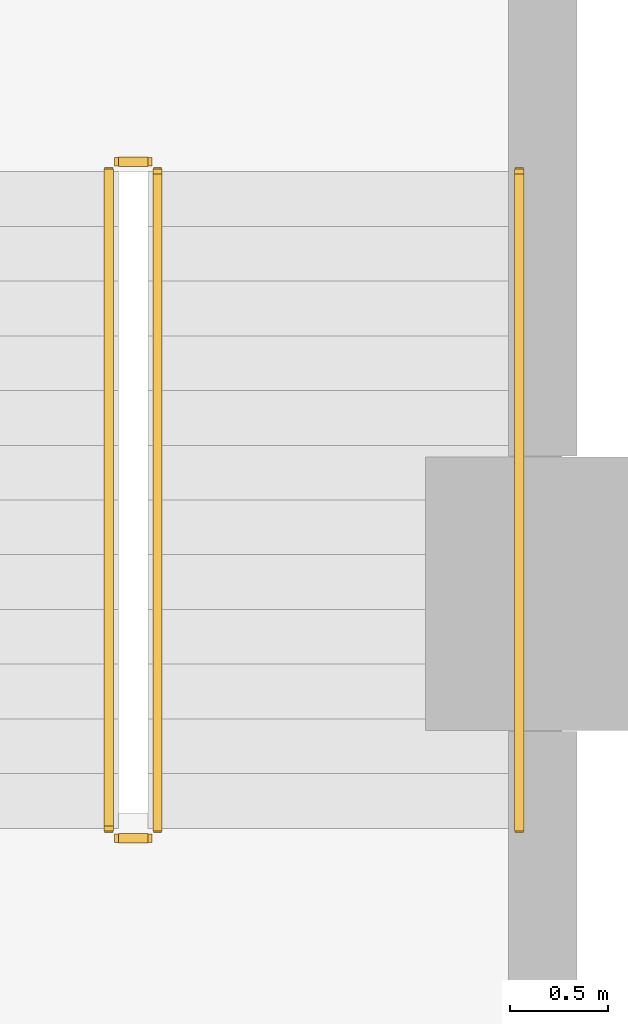
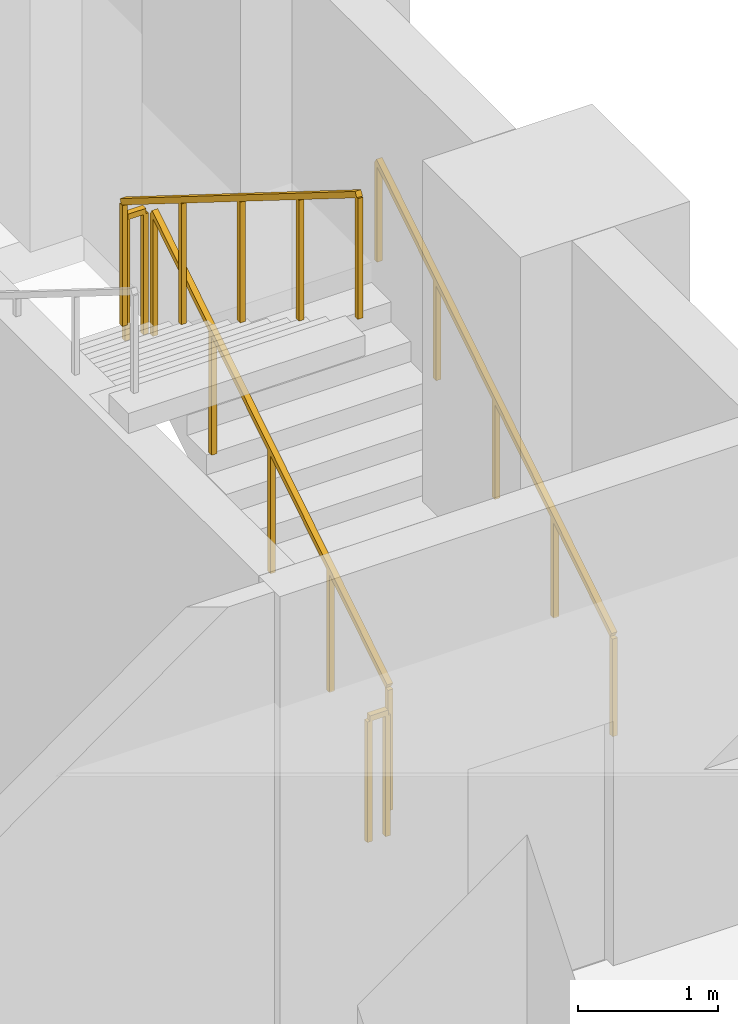
# One storey, part 14 of 14: 5 railings.
"""IFC4 building model written with IfcOpenShell, lengths in metres."""

from ifc_helpers import new_model, si_unit, direction, frame, origin, origin_2d, place, context, subcontext, project, spatial, rectangle, extrude, material, type_object, element, save


model = new_model("IFC4")

# Units and contexts
model_context = context("Model", 3, precision=1e-05, world=origin(), true_north=direction((0.0, 1.0)))
body_context = subcontext(model_context, "Body", "Model", "MODEL_VIEW")
ifc_project = project(units=[si_unit("LENGTHUNIT", "METRE"), si_unit("AREAUNIT", "SQUARE_METRE"), si_unit("VOLUMEUNIT", "CUBIC_METRE"), si_unit("PLANEANGLEUNIT", "RADIAN"), si_unit("MASSUNIT", "GRAM", prefix="KILO")], contexts=[model_context])

# Site, building, storey
site_placement = place(None, origin())
site = spatial("IfcSite", under=ifc_project, at=site_placement, CompositionType="ELEMENT")
building_placement = place(site_placement, origin())
building = spatial("IfcBuilding", under=site, at=building_placement, Name="Zulmaris Gate Convention Tower", CompositionType="ELEMENT")
storey_placement = place(building_placement, frame((0.0, 0.0, -4.550048828125)))
storey = spatial("IfcBuildingStorey", under=building, at=storey_placement, Name="B1", CompositionType="ELEMENT", Elevation=-4.550048828125)

# Railings
ifc_material_1 = material(Name="Painted Galvanised Steel", Category="steel")
railing_type_1 = type_object("IfcRailingType", Name="RL-STG-1150", PredefinedType="GUARDRAIL", material=ifc_material_1)
railing_1_placement = place(storey_placement, frame((31.929931640625, 20.800048828125, 0.175048828125)))
element("IfcRailing", 1, at=railing_1_placement, inside=storey, type_object=railing_type_1, Name="B1 ST-5 stair guard 1", PredefinedType="GUARDRAIL", context=body_context, shape_type="SweptSolid", body=[
    extrude(rectangle(XDim=0.048095703125, YDim=0.048095703125, at=origin_2d()), frame((0.0, 0.0, 1.076171875), z_axis=(0.0, 0.847977533471, 0.530032171408), x_axis=(-1.0, 0.0, 0.0)), (0.0, 0.0, 1.0), 3.962158203125),
    extrude(rectangle(XDim=0.0419921875, YDim=0.0419921875, at=origin_2d()), origin(), (0.0, 0.0, 1.0), 1.052001953125),
    extrude(rectangle(XDim=0.0419921875, YDim=0.0419921875, at=origin_2d()), frame((0.0, 0.83984375, 0.52490234375)), (0.0, 0.0, 1.0), 1.052001953125),
    extrude(rectangle(XDim=0.0419921875, YDim=0.0419921875, at=origin_2d()), frame((0.0, 1.679931640625, 1.050048828125)), (0.0, 0.0, 1.0), 1.052001953125),
    extrude(rectangle(XDim=0.0419921875, YDim=0.0419921875, at=origin_2d()), frame((0.0, 2.52001953125, 1.5751953125)), (0.0, 0.0, 1.0), 1.052001953125),
    extrude(rectangle(XDim=0.0419921875, YDim=0.0419921875, at=origin_2d()), frame((0.0, 3.35986328125, 2.10009765625)), (0.0, 0.0, 1.0), 1.052001953125),
])
railing_2_placement = place(storey_placement, frame((31.8798828125, 24.2099609375, 2.275146484375)))
element("IfcRailing", 2, at=railing_2_placement, inside=storey, type_object=railing_type_1, Name="B1 ST-5 stair guard 2", PredefinedType="GUARDRAIL", context=body_context, shape_type="SweptSolid", body=[
    extrude(rectangle(XDim=0.048095703125, YDim=0.048095703125, at=origin_2d()), frame((0.0, 0.0, 1.076171875), z_axis=(-1.0, 0.0, 0.0), x_axis=(0.0, -1.0, 0.0)), (0.0, 0.0, 1.0), 0.14990234375),
    extrude(rectangle(XDim=0.0419921875, YDim=0.0419921875, at=origin_2d()), origin(), (0.0, 0.0, 1.0), 1.052001953125),
    extrude(rectangle(XDim=0.0419921875, YDim=0.0419921875, at=origin_2d()), frame((-0.14990234375, 0.0, 0.0)), (0.0, 0.0, 1.0), 1.052001953125),
])
railing_3_placement = place(storey_placement, frame((31.679931640625, 24.159912109375, 2.449951171875)))
element("IfcRailing", 3, at=railing_3_placement, inside=storey, type_object=railing_type_1, Name="B1 ST-5 stair guard 3", PredefinedType="GUARDRAIL", context=body_context, shape_type="SweptSolid", body=[
    extrude(rectangle(XDim=0.048095703125, YDim=0.048095703125, at=origin_2d()), frame((0.0, 0.0, 1.076171875), z_axis=(0.0, -0.847977533471, 0.530032171408), x_axis=(1.0, 0.0, 0.0)), (0.0, 0.0, 1.0), 3.962158203125),
    extrude(rectangle(XDim=0.0419921875, YDim=0.0419921875, at=origin_2d()), origin(), (0.0, 0.0, 1.0), 1.052001953125),
    extrude(rectangle(XDim=0.0419921875, YDim=0.0419921875, at=origin_2d()), frame((0.0, -0.83984375, 0.52490234375)), (0.0, 0.0, 1.0), 1.052001953125),
    extrude(rectangle(XDim=0.0419921875, YDim=0.0419921875, at=origin_2d()), frame((0.0, -1.679931640625, 1.050048828125)), (0.0, 0.0, 1.0), 1.052001953125),
    extrude(rectangle(XDim=0.0419921875, YDim=0.0419921875, at=origin_2d()), frame((0.0, -2.52001953125, 1.5751953125)), (0.0, 0.0, 1.0), 1.052001953125),
    extrude(rectangle(XDim=0.0419921875, YDim=0.0419921875, at=origin_2d()), frame((0.0, -3.35986328125, 2.10009765625)), (0.0, 0.0, 1.0), 1.052001953125),
])
railing_4_placement = place(storey_placement, frame((31.8798828125, 20.75, 0.0)))
element("IfcRailing", 4, at=railing_4_placement, inside=storey, type_object=railing_type_1, Name="B1 ST-5 stair guard 4", PredefinedType="GUARDRAIL", context=body_context, shape_type="SweptSolid", body=[
    extrude(rectangle(XDim=0.048095703125, YDim=0.048095703125, at=origin_2d()), frame((0.0, 0.0, 1.076171875), z_axis=(-1.0, 0.0, 0.0), x_axis=(0.0, -1.0, 0.0)), (0.0, 0.0, 1.0), 0.14990234375),
    extrude(rectangle(XDim=0.0419921875, YDim=0.0419921875, at=origin_2d()), origin(), (0.0, 0.0, 1.0), 1.052001953125),
    extrude(rectangle(XDim=0.0419921875, YDim=0.0419921875, at=origin_2d()), frame((-0.14990234375, 0.0, 0.0)), (0.0, 0.0, 1.0), 1.052001953125),
])
ifc_material_2 = material(Name="Brushed Stainless Steel", Category="steel")
railing_type_2 = type_object("IfcRailingType", Name="RL-STH-900", PredefinedType="HANDRAIL", material=ifc_material_2)
railing_5_placement = place(storey_placement, frame((33.780029296875, 20.800048828125, 0.175048828125)))
element("IfcRailing", 5, at=railing_5_placement, inside=storey, type_object=railing_type_2, Name="B1 ST-5 stair handrail 1", PredefinedType="HANDRAIL", context=body_context, shape_type="SweptSolid", body=[
    extrude(rectangle(XDim=0.048095703125, YDim=0.048095703125, at=origin_2d()), frame((0.0, 0.0, 0.8759765625), z_axis=(0.0, 0.847977533471, 0.530032171408), x_axis=(-1.0, 0.0, 0.0)), (0.0, 0.0, 1.0), 3.962158203125),
    extrude(rectangle(XDim=0.0419921875, YDim=0.0419921875, at=origin_2d()), origin(), (0.0, 0.0, 1.0), 0.851806640625),
    extrude(rectangle(XDim=0.0419921875, YDim=0.0419921875, at=origin_2d()), frame((0.0, 0.83984375, 0.52490234375)), (0.0, 0.0, 1.0), 0.851806640625),
    extrude(rectangle(XDim=0.0419921875, YDim=0.0419921875, at=origin_2d()), frame((0.0, 1.679931640625, 1.050048828125)), (0.0, 0.0, 1.0), 0.851806640625),
    extrude(rectangle(XDim=0.0419921875, YDim=0.0419921875, at=origin_2d()), frame((0.0, 2.52001953125, 1.5751953125)), (0.0, 0.0, 1.0), 0.851806640625),
    extrude(rectangle(XDim=0.0419921875, YDim=0.0419921875, at=origin_2d()), frame((0.0, 3.35986328125, 2.10009765625)), (0.0, 0.0, 1.0), 0.851806640625),
])

save(model, "model.ifc")
